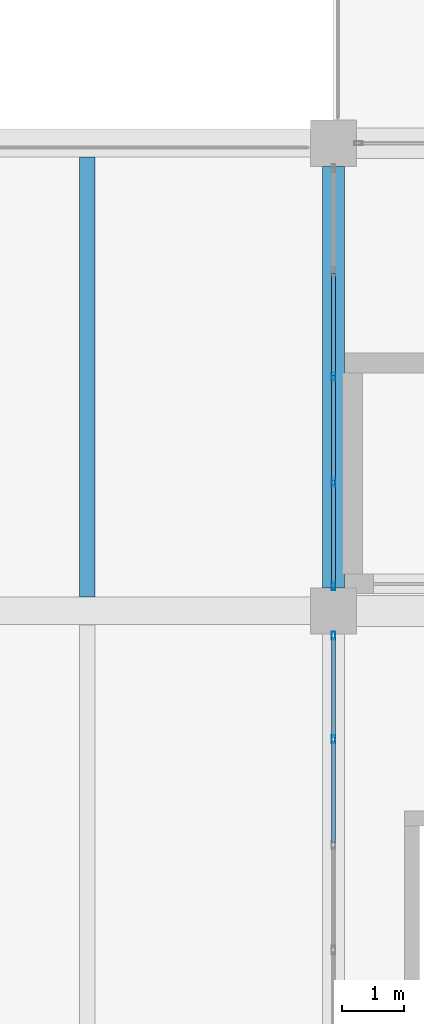
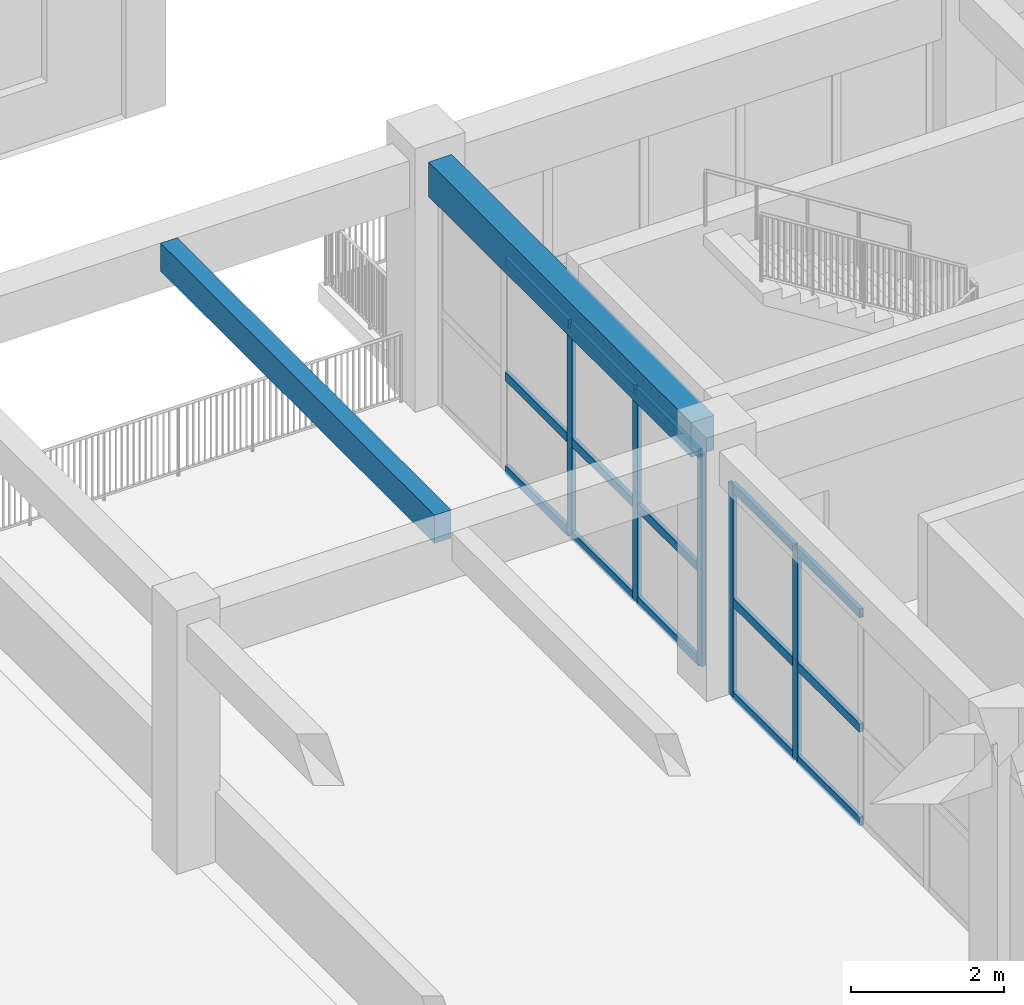
# One storey, part 11 of 63: 20 members, 2 beams, 2 elements without a shape of their own.
"""IFC4 building model written with IfcOpenShell, lengths in metres."""

from ifc_helpers import new_model, si_unit, direction, frame, origin, origin_2d, place, context, subcontext, project, spatial, rectangle, hollow_rectangle, extrude, material, material_profile, profile_set, type_object, element, aggregate, save


model = new_model("IFC4")

# Units and contexts
model_context = context("Model", 3, precision=1e-05, world=origin(), true_north=direction((0.0, 1.0)))
body_context = subcontext(model_context, "Body", "Model", "MODEL_VIEW")
ifc_project = project(units=[si_unit("LENGTHUNIT", "METRE"), si_unit("AREAUNIT", "SQUARE_METRE"), si_unit("VOLUMEUNIT", "CUBIC_METRE"), si_unit("PLANEANGLEUNIT", "RADIAN"), si_unit("MASSUNIT", "GRAM", prefix="KILO")], contexts=[model_context])

# Site, building, storey
site_placement = place(None, origin())
site = spatial("IfcSite", under=ifc_project, at=site_placement, CompositionType="ELEMENT")
building_placement = place(site_placement, origin())
building = spatial("IfcBuilding", under=site, at=building_placement, Name="Zantavel Square City Hall", CompositionType="ELEMENT")
storey_placement = place(building_placement, frame((0.0, 0.0, 14.699951171875)))
storey = spatial("IfcBuildingStorey", under=building, at=storey_placement, Name="L04", CompositionType="ELEMENT", Elevation=14.699951171875)

# Curtain wall, members
ifc_material_1 = material(Name="Anodised aluminium 6063-T6", Category="aluminium")
curtain_wall_type = type_object("IfcCurtainWallType", Name="Curtain Wall TRV1 6850x3370", PredefinedType="USERDEFINED", material=ifc_material_1)
curtain_wall_1_placement = place(storey_placement, origin())
curtain_wall_1 = element("IfcCurtainWall", 1, at=curtain_wall_1_placement, inside=storey, type_object=curtain_wall_type, Name="L04 Glazed Curtain Wall CW-L04-120", ObjectType="GLAZED CURTAIN WALL", PredefinedType="USERDEFINED")
ifc_material_profile_1 = material_profile(ifc_material_1, hollow_rectangle(XDim=0.06005859375, YDim=0.135009765625, WallThickness=0.00390625, at=origin_2d()), Name="ALU 60x135x4")
ifc_profile_set_1 = profile_set([ifc_material_profile_1], Name="Anodised aluminium 6063-T6")
member_type_1 = type_object("IfcMemberType", Name="CW Mullion ALU 60x135x4", PredefinedType="MULLION", material=ifc_profile_set_1)
member_1_placement = place(storey_placement, frame((64.0, 58.71240234375, 0.0), z_axis=(0.0, 0.0, 1.0), x_axis=(-1.0, 0.0, 0.0)))
member_1 = element("IfcMember", 2, at=member_1_placement, type_object=member_type_1, Name="CW-120 mullion 4", PredefinedType="MULLION", context=body_context, shape_type="SweptSolid", body=[
    extrude(hollow_rectangle(XDim=0.06005859375, YDim=0.135009765625, WallThickness=0.00390625, at=origin_2d()), origin(), (0.0, 0.0, 1.0), 3.3701171875),
])
member_2_placement = place(storey_placement, frame((64.0, 60.39501953125, 0.0), z_axis=(0.0, 0.0, 1.0), x_axis=(-1.0, 0.0, 0.0)))
member_2 = element("IfcMember", 3, at=member_2_placement, type_object=member_type_1, Name="CW-120 mullion 5", PredefinedType="MULLION", context=body_context, shape_type="SweptSolid", body=[
    extrude(hollow_rectangle(XDim=0.06005859375, YDim=0.135009765625, WallThickness=0.00390625, at=origin_2d()), origin(), (0.0, 0.0, 1.0), 3.3701171875),
])

curtain_wall_2_placement = place(storey_placement, origin())
curtain_wall_2 = element("IfcCurtainWall", 4, at=curtain_wall_2_placement, inside=storey, type_object=curtain_wall_type, Name="L04 Glazed Curtain Wall CW-L04-121", ObjectType="GLAZED CURTAIN WALL", PredefinedType="USERDEFINED")
member_3_placement = place(storey_placement, frame((64.0, 61.205078125, 0.0), z_axis=(0.0, 0.0, 1.0), x_axis=(-1.0, 0.0, 0.0)))
member_3 = element("IfcMember", 5, at=member_3_placement, type_object=member_type_1, Name="CW-121 mullion 1", PredefinedType="MULLION", context=body_context, shape_type="SweptSolid", body=[
    extrude(hollow_rectangle(XDim=0.06005859375, YDim=0.135009765625, WallThickness=0.00390625, at=origin_2d()), origin(), (0.0, 0.0, 1.0), 3.3701171875),
])
member_4_placement = place(storey_placement, frame((64.0, 62.887451171875, 0.0), z_axis=(0.0, 0.0, 1.0), x_axis=(-1.0, 0.0, 0.0)))
member_4 = element("IfcMember", 6, at=member_4_placement, type_object=member_type_1, Name="CW-121 mullion 2", PredefinedType="MULLION", context=body_context, shape_type="SweptSolid", body=[
    extrude(hollow_rectangle(XDim=0.06005859375, YDim=0.135009765625, WallThickness=0.00390625, at=origin_2d()), origin(), (0.0, 0.0, 1.0), 3.3701171875),
])
member_5_placement = place(storey_placement, frame((64.0, 64.60009765625, 0.0), z_axis=(0.0, 0.0, 1.0), x_axis=(-1.0, 0.0, 0.0)))
member_5 = element("IfcMember", 7, at=member_5_placement, type_object=member_type_1, Name="CW-121 mullion 3", PredefinedType="MULLION", context=body_context, shape_type="SweptSolid", body=[
    extrude(hollow_rectangle(XDim=0.06005859375, YDim=0.135009765625, WallThickness=0.00390625, at=origin_2d()), origin(), (0.0, 0.0, 1.0), 3.3701171875),
])

# Member
ifc_material_profile_2 = material_profile(ifc_material_1, hollow_rectangle(XDim=0.06005859375, YDim=0.139892578125, WallThickness=0.00390625, at=origin_2d()), Name="ALU 60x140x4")
ifc_profile_set_2 = profile_set([ifc_material_profile_2], Name="Anodised aluminium 6063-T6")
member_type_2 = type_object("IfcMemberType", Name="CW Transom ALU 60x140x4", PredefinedType="USERDEFINED", material=ifc_profile_set_2)
member_6_placement = place(storey_placement, frame((64.0, 57.030029296875, 0.030029296875), z_axis=(0.0, 1.0, 0.0), x_axis=(-1.0, 0.0, 0.0)))
member_6 = element("IfcMember", 8, at=member_6_placement, type_object=member_type_2, Name="CW-120 transom 3.1", ObjectType="TRANSOM", PredefinedType="USERDEFINED", context=body_context, shape_type="SweptSolid", body=[
    extrude(hollow_rectangle(XDim=0.06005859375, YDim=0.139892578125, WallThickness=0.00390625, at=origin_2d()), origin(), (0.0, 0.0, 1.0), 1.652587890625),
])

member_7_placement = place(storey_placement, frame((64.0, 57.030029296875, 1.51708984375), z_axis=(0.0, 1.0, 0.0), x_axis=(-1.0, 0.0, 0.0)))
member_7 = element("IfcMember", 9, at=member_7_placement, type_object=member_type_2, Name="CW-120 transom 3.2", ObjectType="TRANSOM", PredefinedType="USERDEFINED", context=body_context, shape_type="SweptSolid", body=[
    extrude(hollow_rectangle(XDim=0.06005859375, YDim=0.139892578125, WallThickness=0.00390625, at=origin_2d()), origin(), (0.0, 0.0, 1.0), 1.652587890625),
])

member_8_placement = place(storey_placement, frame((64.0, 57.030029296875, 3.340087890625), z_axis=(0.0, 1.0, 0.0), x_axis=(-1.0, 0.0, 0.0)))
member_8 = element("IfcMember", 10, at=member_8_placement, type_object=member_type_2, Name="CW-120 transom 3.3", ObjectType="TRANSOM", PredefinedType="USERDEFINED", context=body_context, shape_type="SweptSolid", body=[
    extrude(hollow_rectangle(XDim=0.06005859375, YDim=0.139892578125, WallThickness=0.00390625, at=origin_2d()), origin(), (0.0, 0.0, 1.0), 1.652587890625),
])

member_9_placement = place(storey_placement, frame((64.0, 58.742431640625, 0.030029296875), z_axis=(0.0, 1.0, 0.0), x_axis=(-1.0, 0.0, 0.0)))
member_9 = element("IfcMember", 11, at=member_9_placement, type_object=member_type_2, Name="CW-120 transom 4.1", ObjectType="TRANSOM", PredefinedType="USERDEFINED", context=body_context, shape_type="SweptSolid", body=[
    extrude(hollow_rectangle(XDim=0.06005859375, YDim=0.139892578125, WallThickness=0.00390625, at=origin_2d()), origin(), (0.0, 0.0, 1.0), 1.62255859375),
])

member_10_placement = place(storey_placement, frame((64.0, 58.742431640625, 1.51708984375), z_axis=(0.0, 1.0, 0.0), x_axis=(-1.0, 0.0, 0.0)))
member_10 = element("IfcMember", 12, at=member_10_placement, type_object=member_type_2, Name="CW-120 transom 4.2", ObjectType="TRANSOM", PredefinedType="USERDEFINED", context=body_context, shape_type="SweptSolid", body=[
    extrude(hollow_rectangle(XDim=0.06005859375, YDim=0.139892578125, WallThickness=0.00390625, at=origin_2d()), origin(), (0.0, 0.0, 1.0), 1.62255859375),
])

member_11_placement = place(storey_placement, frame((64.0, 58.742431640625, 3.340087890625), z_axis=(0.0, 1.0, 0.0), x_axis=(-1.0, 0.0, 0.0)))
member_11 = element("IfcMember", 13, at=member_11_placement, type_object=member_type_2, Name="CW-120 transom 4.3", ObjectType="TRANSOM", PredefinedType="USERDEFINED", context=body_context, shape_type="SweptSolid", body=[
    extrude(hollow_rectangle(XDim=0.06005859375, YDim=0.139892578125, WallThickness=0.00390625, at=origin_2d()), origin(), (0.0, 0.0, 1.0), 1.62255859375),
])

aggregate(curtain_wall_1, [member_1, member_2, member_6, member_7, member_8, member_9, member_10, member_11])

member_12_placement = place(storey_placement, frame((64.0, 61.235107421875, 0.030029296875), z_axis=(0.0, 1.0, 0.0), x_axis=(-1.0, 0.0, 0.0)))
member_12 = element("IfcMember", 14, at=member_12_placement, type_object=member_type_2, Name="CW-121 transom 1.1", ObjectType="TRANSOM", PredefinedType="USERDEFINED", context=body_context, shape_type="SweptSolid", body=[
    extrude(hollow_rectangle(XDim=0.06005859375, YDim=0.139892578125, WallThickness=0.00390625, at=origin_2d()), origin(), (0.0, 0.0, 1.0), 1.622314453125),
])

member_13_placement = place(storey_placement, frame((64.0, 61.235107421875, 1.51708984375), z_axis=(0.0, 1.0, 0.0), x_axis=(-1.0, 0.0, 0.0)))
member_13 = element("IfcMember", 15, at=member_13_placement, type_object=member_type_2, Name="CW-121 transom 1.2", ObjectType="TRANSOM", PredefinedType="USERDEFINED", context=body_context, shape_type="SweptSolid", body=[
    extrude(hollow_rectangle(XDim=0.06005859375, YDim=0.139892578125, WallThickness=0.00390625, at=origin_2d()), origin(), (0.0, 0.0, 1.0), 1.622314453125),
])

member_14_placement = place(storey_placement, frame((64.0, 61.235107421875, 3.340087890625), z_axis=(0.0, 1.0, 0.0), x_axis=(-1.0, 0.0, 0.0)))
member_14 = element("IfcMember", 16, at=member_14_placement, type_object=member_type_2, Name="CW-121 transom 1.3", ObjectType="TRANSOM", PredefinedType="USERDEFINED", context=body_context, shape_type="SweptSolid", body=[
    extrude(hollow_rectangle(XDim=0.06005859375, YDim=0.139892578125, WallThickness=0.00390625, at=origin_2d()), origin(), (0.0, 0.0, 1.0), 1.622314453125),
])

member_15_placement = place(storey_placement, frame((64.0, 62.91748046875, 0.030029296875), z_axis=(0.0, 1.0, 0.0), x_axis=(-1.0, 0.0, 0.0)))
member_15 = element("IfcMember", 17, at=member_15_placement, type_object=member_type_2, Name="CW-121 transom 2.1", ObjectType="TRANSOM", PredefinedType="USERDEFINED", context=body_context, shape_type="SweptSolid", body=[
    extrude(hollow_rectangle(XDim=0.06005859375, YDim=0.139892578125, WallThickness=0.00390625, at=origin_2d()), origin(), (0.0, 0.0, 1.0), 1.652587890625),
])

member_16_placement = place(storey_placement, frame((64.0, 62.91748046875, 1.51708984375), z_axis=(0.0, 1.0, 0.0), x_axis=(-1.0, 0.0, 0.0)))
member_16 = element("IfcMember", 18, at=member_16_placement, type_object=member_type_2, Name="CW-121 transom 2.2", ObjectType="TRANSOM", PredefinedType="USERDEFINED", context=body_context, shape_type="SweptSolid", body=[
    extrude(hollow_rectangle(XDim=0.06005859375, YDim=0.139892578125, WallThickness=0.00390625, at=origin_2d()), origin(), (0.0, 0.0, 1.0), 1.652587890625),
])

member_17_placement = place(storey_placement, frame((64.0, 62.91748046875, 3.340087890625), z_axis=(0.0, 1.0, 0.0), x_axis=(-1.0, 0.0, 0.0)))
member_17 = element("IfcMember", 19, at=member_17_placement, type_object=member_type_2, Name="CW-121 transom 2.3", ObjectType="TRANSOM", PredefinedType="USERDEFINED", context=body_context, shape_type="SweptSolid", body=[
    extrude(hollow_rectangle(XDim=0.06005859375, YDim=0.139892578125, WallThickness=0.00390625, at=origin_2d()), origin(), (0.0, 0.0, 1.0), 1.652587890625),
])

member_18_placement = place(storey_placement, frame((64.0, 64.6298828125, 0.030029296875), z_axis=(0.0, 1.0, 0.0), x_axis=(-1.0, 0.0, 0.0)))
member_18 = element("IfcMember", 20, at=member_18_placement, type_object=member_type_2, Name="CW-121 transom 3.1", ObjectType="TRANSOM", PredefinedType="USERDEFINED", context=body_context, shape_type="SweptSolid", body=[
    extrude(hollow_rectangle(XDim=0.06005859375, YDim=0.139892578125, WallThickness=0.00390625, at=origin_2d()), origin(), (0.0, 0.0, 1.0), 1.652587890625),
])

member_19_placement = place(storey_placement, frame((64.0, 64.6298828125, 1.51708984375), z_axis=(0.0, 1.0, 0.0), x_axis=(-1.0, 0.0, 0.0)))
member_19 = element("IfcMember", 21, at=member_19_placement, type_object=member_type_2, Name="CW-121 transom 3.2", ObjectType="TRANSOM", PredefinedType="USERDEFINED", context=body_context, shape_type="SweptSolid", body=[
    extrude(hollow_rectangle(XDim=0.06005859375, YDim=0.139892578125, WallThickness=0.00390625, at=origin_2d()), origin(), (0.0, 0.0, 1.0), 1.652587890625),
])

member_20_placement = place(storey_placement, frame((64.0, 64.6298828125, 3.340087890625), z_axis=(0.0, 1.0, 0.0), x_axis=(-1.0, 0.0, 0.0)))
member_20 = element("IfcMember", 22, at=member_20_placement, type_object=member_type_2, Name="CW-121 transom 3.3", ObjectType="TRANSOM", PredefinedType="USERDEFINED", context=body_context, shape_type="SweptSolid", body=[
    extrude(hollow_rectangle(XDim=0.06005859375, YDim=0.139892578125, WallThickness=0.00390625, at=origin_2d()), origin(), (0.0, 0.0, 1.0), 1.652587890625),
])

aggregate(curtain_wall_2, [member_3, member_4, member_5, member_12, member_13, member_14, member_15, member_16, member_17, member_18, member_19, member_20])

# Beams
ifc_material_2 = material(Name="Concrete C35/45", Category="concrete")
ifc_material_profile_3 = material_profile(ifc_material_2, rectangle(XDim=0.25, YDim=0.449951171875, at=origin_2d()), Name="RC 250x450")
ifc_profile_set_3 = profile_set([ifc_material_profile_3], Name="Concrete C35/45")
beam_type_1 = type_object("IfcBeamType", Name="Light Floor Joist RC 250x450 C35/45", PredefinedType="JOIST", material=ifc_profile_set_3)
beam_1_placement = place(storey_placement, frame((60.0, 61.02490234375, 3.695068359375), z_axis=(0.0, 1.0, 0.0), x_axis=(-1.0, 0.0, 0.0)))
element("IfcBeam", 23, at=beam_1_placement, inside=storey, type_object=beam_type_1, Name="L04 Floor Joist JST-L04-0600-0608", PredefinedType="JOIST", context=body_context, shape_type="SweptSolid", body=[
    extrude(rectangle(XDim=0.25, YDim=0.449951171875, at=origin_2d()), origin(), (0.0, 0.0, 1.0), 7.150146484375),
])
ifc_material_profile_4 = material_profile(ifc_material_2, rectangle(XDim=0.35009765625, YDim=0.550048828125, at=origin_2d()), Name="RC 350x550")
ifc_profile_set_4 = profile_set([ifc_material_profile_4], Name="Concrete C35/45")
beam_type_2 = type_object("IfcBeamType", Name="Secondary Beam RC 350x550 C35/45", PredefinedType="BEAM", material=ifc_profile_set_4)
beam_2_placement = place(storey_placement, frame((64.0, 61.175048828125, 3.64501953125), z_axis=(0.0, 1.0, 0.0), x_axis=(-1.0, 0.0, 0.0)))
element("IfcBeam", 24, at=beam_2_placement, inside=storey, type_object=beam_type_2, Name="L04 Beam BMY-L04-0640-0608", PredefinedType="BEAM", context=body_context, shape_type="SweptSolid", body=[
    extrude(rectangle(XDim=0.35009765625, YDim=0.550048828125, at=origin_2d()), origin(), (0.0, 0.0, 1.0), 6.849853515625),
])

save(model, "model.ifc")
